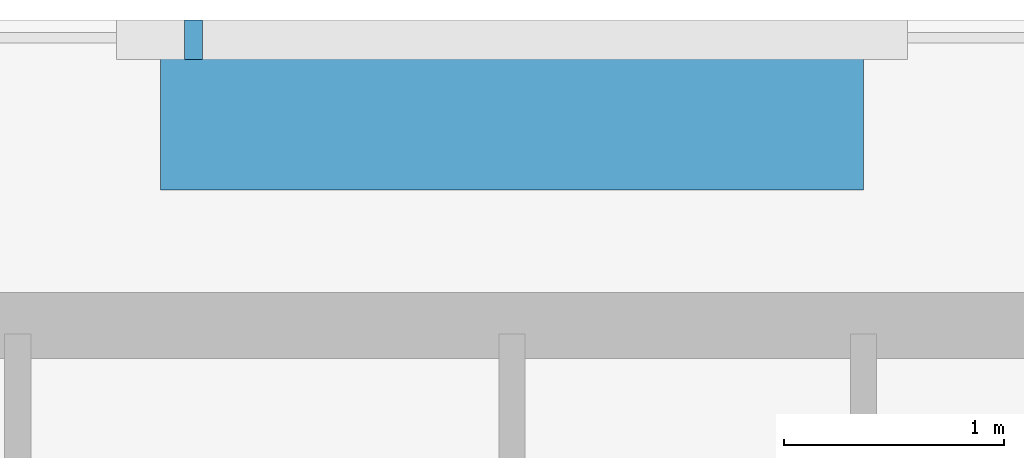
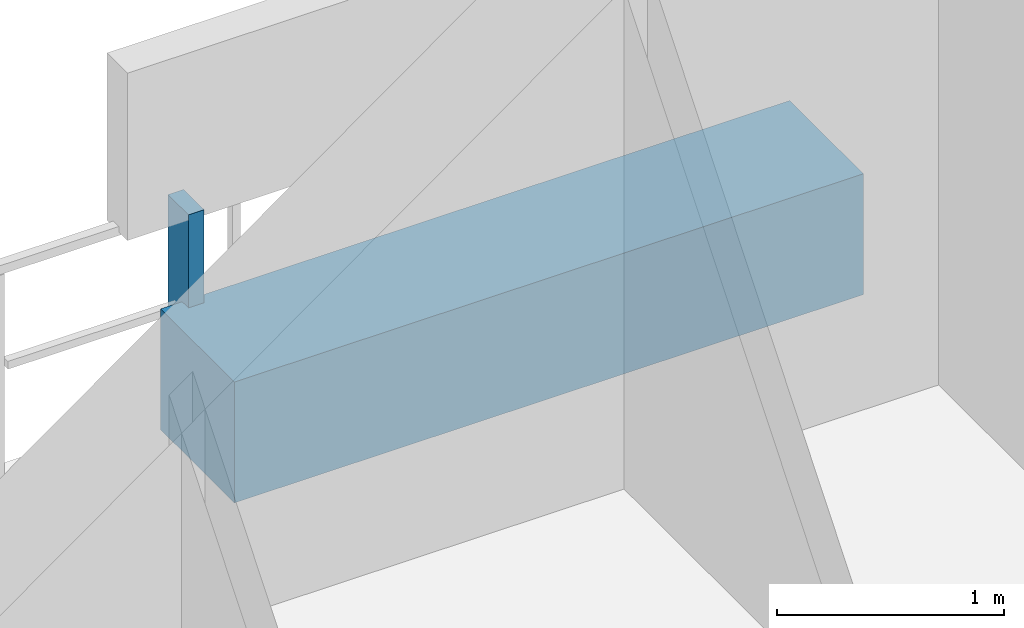
# One storey, part 29 of 33: 2 discrete accessories.
"""IFC4 building model written with IfcOpenShell, lengths in metres."""

from ifc_helpers import new_model, si_unit, direction, frame, origin, origin_2d, place, context, subcontext, project, spatial, rectangle, extrude, material, type_object, element, save


model = new_model("IFC4")

# Units and contexts
model_context = context("Model", 3, precision=1e-05, world=origin(), true_north=direction((0.0, 1.0)))
body_context = subcontext(model_context, "Body", "Model", "MODEL_VIEW")
ifc_project = project(units=[si_unit("LENGTHUNIT", "METRE"), si_unit("AREAUNIT", "SQUARE_METRE"), si_unit("VOLUMEUNIT", "CUBIC_METRE"), si_unit("PLANEANGLEUNIT", "RADIAN"), si_unit("MASSUNIT", "GRAM", prefix="KILO")], contexts=[model_context])

# Site, building, storey
site_placement = place(None, origin())
site = spatial("IfcSite", under=ifc_project, at=site_placement, CompositionType="ELEMENT")
building_placement = place(site_placement, origin())
building = spatial("IfcBuilding", under=site, at=building_placement, Name="Thornwick Lancets Civic Towers", CompositionType="ELEMENT")
storey_placement = place(building_placement, frame((0.0, 0.0, 185.699951171875)))
storey = spatial("IfcBuildingStorey", under=building, at=storey_placement, Name="L49", CompositionType="ELEMENT", Elevation=185.699951171875)

# Discrete accessories
ifc_material_1 = material(Name="Planted terracotta greenery planter", Category="masonry")
discrete_accessory_type_1 = type_object("IfcDiscreteAccessoryType", Name="ACC_PLANTER_BOX", PredefinedType="USERDEFINED", material=ifc_material_1)
discrete_accessory_1_placement = place(storey_placement, frame((88.5, 51.699951171875, 0.0), z_axis=(0.0, 0.0, 1.0), x_axis=(1.0, 0.0, 0.0)))
element("IfcDiscreteAccessory", 1, at=discrete_accessory_1_placement, inside=storey, type_object=discrete_accessory_type_1, Name="L49 Tower B Balcony Greenery Planter N", ObjectType="PLANTER", PredefinedType="USERDEFINED", context=body_context, shape_type="SweptSolid", body=[
    extrude(rectangle(XDim=3.199951171875, YDim=0.64990234375, at=origin_2d()), origin(), (0.0, 0.0, 1.0), 0.64990234375),
])
ifc_material_2 = material(Name="Stainless steel S355", Category="steel")
discrete_accessory_type_2 = type_object("IfcDiscreteAccessoryType", Name="ACC_SCREEN_BRACKET", PredefinedType="BRACKET", material=ifc_material_2)
discrete_accessory_2_placement = place(storey_placement, frame((87.050048828125, 52.06005859375, 0.0), z_axis=(0.0, 0.0, 1.0), x_axis=(1.0, 0.0, 0.0)))
element("IfcDiscreteAccessory", 2, at=discrete_accessory_2_placement, inside=storey, type_object=discrete_accessory_type_2, Name="L49 Tower B Balcony Screen Stanchion Bracket N-1", PredefinedType="BRACKET", context=body_context, shape_type="SweptSolid", body=[
    extrude(rectangle(XDim=0.080078125, YDim=0.179931640625, at=origin_2d()), origin(), (0.0, 0.0, 1.0), 1.14990234375),
])

save(model, "model.ifc")
